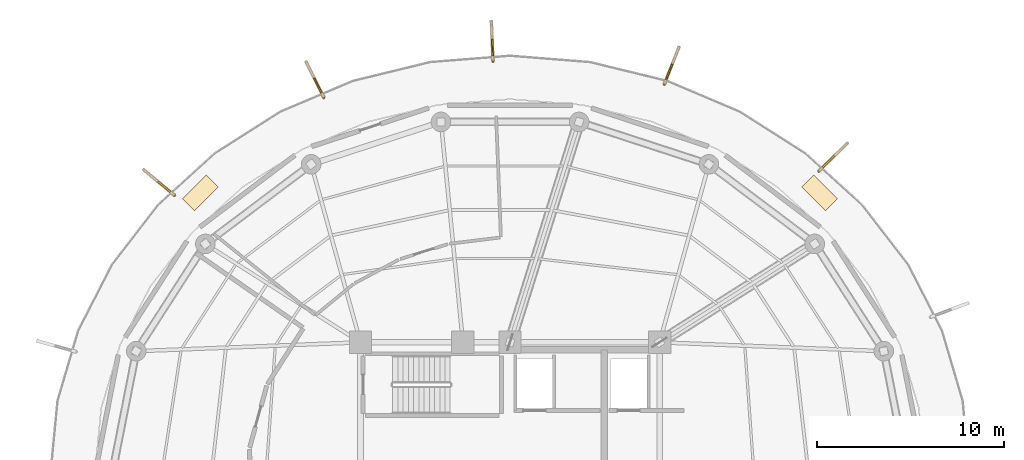
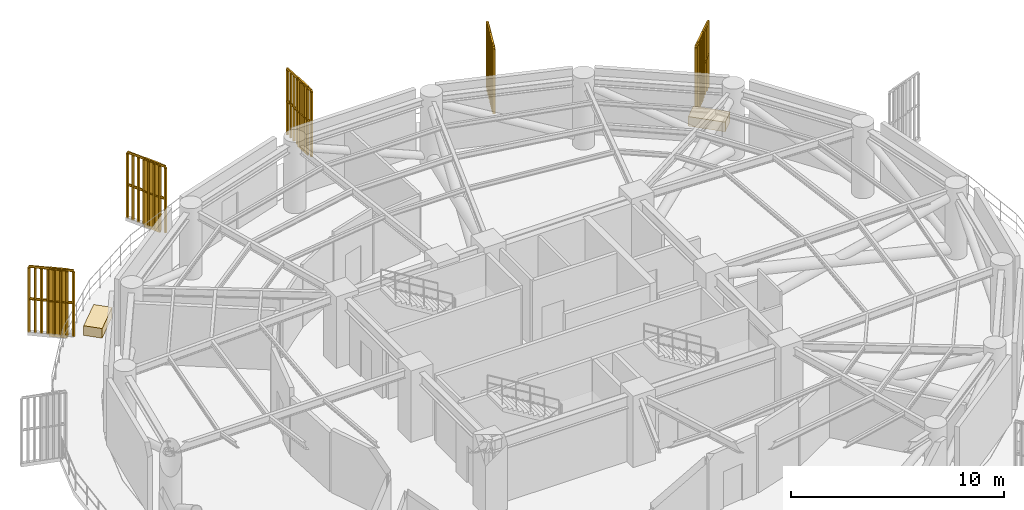
# One storey, part 10 of 10: 5 railings, 5 shading devices, 2 coverings.
"""IFC4 building model written with IfcOpenShell, lengths in metres."""

import ifcopenshell
import ifcopenshell.guid

model = None  # the IFC model being written
_history = None  # IfcOwnerHistory: only IFC2X3 demands one
_inside = {}  # id of a spatial element -> (the spatial element, [elements in it])
_under = {}  # id of a project, library or spatial element -> (it, [spatial elements below it])
_declared = {}  # id of a project -> (the project, [libraries it declares])
_typed = {}  # id of a type object -> (the type object, [elements of that type])
_made_of = {}  # id of a material, layer set ... -> (it, [elements and type objects made of it])


def new_model(schema):
    """Start an empty IFC model of exactly this schema.

    Asked for "IFC4X3", IfcOpenShell would pick the latest addendum, in which some entities
    have other attributes; the version numbers below select the first issue.
    IFC2X3 requires an IfcOwnerHistory on every rooted entity: one is made here for all.
    """
    global model, _history
    if schema == "IFC4X3":
        model = ifcopenshell.file(schema_version=(4, 3, 0, 0))
    else:
        model = ifcopenshell.file(schema=schema)
    _inside.clear()
    _under.clear()
    _declared.clear()
    _typed.clear()
    _made_of.clear()
    _history = None
    if model.schema == "IFC2X3":
        org = make("IfcOrganization", Name="unknown")
        user = make(
            "IfcPersonAndOrganization",
            ThePerson=make("IfcPerson", FamilyName="unknown"),
            TheOrganization=org,
        )
        app = make(
            "IfcApplication",
            ApplicationDeveloper=org,
            Version="unknown",
            ApplicationFullName="unknown",
            ApplicationIdentifier="unknown",
        )
        _history = make(
            "IfcOwnerHistory",
            OwningUser=user,
            OwningApplication=app,
            ChangeAction="ADDED",
            CreationDate=0,
        )
    return model


def make(cls, **values):
    """One entity of the class cls with the attributes given. An attribute that is None is left unset."""
    return model.create_entity(
        cls, **{name: value for name, value in values.items() if value is not None}
    )


def rooted(cls, **values):
    """An entity with a GlobalId (a new one), such as an element, a storey or a relation."""
    return make(cls, GlobalId=ifcopenshell.guid.new(), OwnerHistory=_history, **values)


def si_unit(unit_type, name, prefix=None):
    """IfcSIUnit, for example si_unit("LENGTHUNIT", "METRE", prefix="MILLI")."""
    return make("IfcSIUnit", UnitType=unit_type, Prefix=prefix, Name=name)


def assignment(units):
    """IfcUnitAssignment: the units of a project."""
    return None if units is None else make("IfcUnitAssignment", Units=units)


def point(xyz):
    """IfcCartesianPoint."""
    return None if xyz is None else make("IfcCartesianPoint", Coordinates=xyz)


def direction(xyz):
    """IfcDirection."""
    return None if xyz is None else make("IfcDirection", DirectionRatios=xyz)


def frame(location, z_axis=None, x_axis=None):
    """IfcAxis2Placement3D, a coordinate frame: its origin and axes. An axis left out is left unset."""
    return make(
        "IfcAxis2Placement3D",
        Location=point(location),
        Axis=direction(z_axis),
        RefDirection=direction(x_axis),
    )


def frame_2d(location, x_axis=None):
    """IfcAxis2Placement2D, a coordinate frame in the plane: its origin and x axis."""
    return make(
        "IfcAxis2Placement2D", Location=point(location), RefDirection=direction(x_axis)
    )


def origin():
    """The frame at (0, 0, 0) with its axes left unset."""
    return frame((0.0, 0.0, 0.0))


def origin_2d():
    """The frame at (0, 0) in the plane with its x axis left unset."""
    return frame_2d((0.0, 0.0))


def place(relative_to, where):
    """IfcLocalPlacement: puts the frame where relative to a parent placement (None: the world)."""
    return make(
        "IfcLocalPlacement", PlacementRelTo=relative_to, RelativePlacement=where
    )


def context(
    kind, dimensions, precision=None, world=None, true_north=None, identifier=None
):
    """IfcGeometricRepresentationContext, for example the 3D "Model" context."""
    return make(
        "IfcGeometricRepresentationContext",
        ContextIdentifier=identifier,
        ContextType=kind,
        CoordinateSpaceDimension=dimensions,
        Precision=precision,
        WorldCoordinateSystem=world,
        TrueNorth=true_north,
    )


def subcontext(parent, identifier, kind, view, scale=None):
    """IfcGeometricRepresentationSubContext, for example "Body" below "Model"."""
    return make(
        "IfcGeometricRepresentationSubContext",
        ContextIdentifier=identifier,
        ContextType=kind,
        ParentContext=parent,
        TargetScale=scale,
        TargetView=view,
    )


def project(units=None, contexts=None):
    """IfcProject with its units and contexts."""
    return rooted(
        "IfcProject",
        Name="project",
        RepresentationContexts=contexts,
        UnitsInContext=assignment(units),
    )


def spatial(cls, under=None, at=None, **own):
    """A site, building, storey or space (cls), placed at a placement, below another one or the project."""
    s = rooted(cls, ObjectPlacement=at, **own)
    if under is not None:
        _under.setdefault(under.id(), (under, []))[1].append(s)
    return s


def polyline(points):
    """IfcPolyline through the points."""
    return make("IfcPolyline", Points=[point(p) for p in points])


def profile(cls, at=None, kind="AREA", **sizes):
    """A parametric profile (cls). Its sizes go by their IFC names, for example OverallWidth=200.0."""
    return make(cls, ProfileType=kind, Position=at, **sizes)


def rectangle(**sizes):
    """IfcRectangleProfileDef."""
    return profile("IfcRectangleProfileDef", **sizes)


def outline(outer, holes=None, kind="AREA"):
    """IfcArbitraryClosedProfileDef: a profile drawn as a closed curve; with holes, ...WithVoids."""
    if holes is None:
        return make("IfcArbitraryClosedProfileDef", ProfileType=kind, OuterCurve=outer)
    return make(
        "IfcArbitraryProfileDefWithVoids",
        ProfileType=kind,
        OuterCurve=outer,
        InnerCurves=holes,
    )


def extrude(swept, where, along, depth):
    """IfcExtrudedAreaSolid: the profile swept, set in the frame where, extruded along a direction by depth."""
    return make(
        "IfcExtrudedAreaSolid",
        SweptArea=swept,
        Position=where,
        ExtrudedDirection=direction(along),
        Depth=depth,
    )


def shape(context_of_items, identifier, shape_type, items):
    """IfcShapeRepresentation: the items that make up one representation, for example the "Body"."""
    return make(
        "IfcShapeRepresentation",
        ContextOfItems=context_of_items,
        RepresentationIdentifier=identifier,
        RepresentationType=shape_type,
        Items=items,
    )


def source(mapping_origin, context_of_items, identifier, shape_type, items):
    """IfcRepresentationMap: a shape defined once, which mapped items show again and again."""
    return make(
        "IfcRepresentationMap",
        MappingOrigin=mapping_origin,
        MappedRepresentation=shape(context_of_items, identifier, shape_type, items),
    )


def transform(
    local_origin,
    x_axis=None,
    y_axis=None,
    z_axis=None,
    scale=None,
    scale2=None,
    scale3=None,
    uniform=True,
):
    """IfcCartesianTransformationOperator3D, or its non-uniform kind. x_axis, y_axis, z_axis: its Axis1, 2, 3."""
    if uniform:
        return make(
            "IfcCartesianTransformationOperator3D",
            Axis1=direction(x_axis),
            Axis2=direction(y_axis),
            LocalOrigin=point(local_origin),
            Scale=scale,
            Axis3=direction(z_axis),
        )
    return make(
        "IfcCartesianTransformationOperator3DnonUniform",
        Axis1=direction(x_axis),
        Axis2=direction(y_axis),
        LocalOrigin=point(local_origin),
        Scale=scale,
        Axis3=direction(z_axis),
        Scale2=scale2,
        Scale3=scale3,
    )


def mapped(mapping_source, mapping_target):
    """IfcMappedItem: shows the shape of a source again, moved by a transform."""
    return make(
        "IfcMappedItem", MappingSource=mapping_source, MappingTarget=mapping_target
    )


def material(Name=None, Category=None):
    """IfcMaterial."""
    return make("IfcMaterial", Name=Name, Category=Category)


def layer(
    of_material, thickness, ventilated=None, Name=None, Category=None, Priority=None
):
    """IfcMaterialLayer: one layer of a wall or slab, of a material (None: an air gap)."""
    return make(
        "IfcMaterialLayer",
        Material=of_material,
        LayerThickness=thickness,
        IsVentilated=ventilated,
        Name=Name,
        Category=Category,
        Priority=Priority,
    )


def layer_set(layers, Name=None):
    """IfcMaterialLayerSet."""
    return make("IfcMaterialLayerSet", MaterialLayers=layers, LayerSetName=Name)


def made_of(thing, what):
    """Note that an element or type object is made of a material, layer set ...; save() writes the relation."""
    if what is not None:
        _made_of.setdefault(what.id(), (what, []))[1].append(thing)
    return thing


def type_object(cls, material=None, **own):
    """A type object (cls), such as IfcWallType, which elements share."""
    return made_of(rooted(cls, **own), material)


def element(
    cls,
    number,
    at=None,
    inside=None,
    cuts=None,
    type_object=None,
    material=None,
    context=None,
    identifier="Body",
    shape_type=None,
    held_by="IfcProductDefinitionShape",
    body=None,
    shapes=None,
    **own,
):
    """One element of the class cls, such as IfcWall. Its Tag is "e" and its number.

    at: its placement. inside: the storey or other place that contains it. cuts: it is an
    opening in that element (IfcRelVoidsElement). A single representation is given by context,
    identifier, shape_type and body (its items); several are given by shapes. held_by: the class
    of the entity that holds the representations. save() writes the other relations.
    """
    e = rooted(cls, Tag="e%d" % number, ObjectPlacement=at, **own)
    if body is not None:
        shapes = [shape(context, identifier, shape_type, body)]
    if shapes is not None:
        e.Representation = make(held_by, Representations=shapes)
    if inside is not None:
        _inside.setdefault(inside.id(), (inside, []))[1].append(e)
    if cuts is not None:
        rooted(
            "IfcRelVoidsElement", RelatingBuildingElement=cuts, RelatedOpeningElement=e
        )
    if type_object is not None:
        _typed.setdefault(type_object.id(), (type_object, []))[1].append(e)
    return made_of(e, material)


def aggregate(whole, parts):
    """IfcRelAggregates: a whole, such as a stair, and the parts it consists of."""
    return rooted("IfcRelAggregates", RelatingObject=whole, RelatedObjects=parts)


def save(model, path):
    """Write the relations noted so far, then the file.

    IfcRelAggregates (storeys below a building ...), IfcRelContainedInSpatialStructure (elements
    in a storey), IfcRelDefinesByType, IfcRelAssociatesMaterial and IfcRelDeclares: one each for
    every whole, place, type object, material and project.
    """
    for whole, parts in _under.values():
        aggregate(whole, parts)
    for where, things in _inside.values():
        rooted(
            "IfcRelContainedInSpatialStructure",
            RelatedElements=things,
            RelatingStructure=where,
        )
    for kind, things in _typed.values():
        rooted("IfcRelDefinesByType", RelatedObjects=things, RelatingType=kind)
    for what, things in _made_of.values():
        rooted("IfcRelAssociatesMaterial", RelatedObjects=things, RelatingMaterial=what)
    for by, libraries in _declared.values():
        rooted("IfcRelDeclares", RelatingContext=by, RelatedDefinitions=libraries)
    model.write(path)


model = new_model("IFC4")

# Units and contexts
model_context = context("Model", 3, precision=1e-05, world=origin(), true_north=direction((0.0, 1.0)))
body_context = subcontext(model_context, "Body", "Model", "MODEL_VIEW")
ifc_project = project(units=[si_unit("LENGTHUNIT", "METRE"), si_unit("AREAUNIT", "SQUARE_METRE"), si_unit("VOLUMEUNIT", "CUBIC_METRE"), si_unit("PLANEANGLEUNIT", "RADIAN"), si_unit("MASSUNIT", "GRAM", prefix="KILO")], contexts=[model_context])

# Site, building, storey
site_placement = place(None, origin())
site = spatial("IfcSite", under=ifc_project, at=site_placement, CompositionType="ELEMENT")
building_placement = place(site_placement, origin())
building = spatial("IfcBuilding", under=site, at=building_placement, Name="Kelanora Arch Commons", CompositionType="ELEMENT")
storey_placement = place(building_placement, frame((0.0, 0.0, 189.110107421875)))
storey = spatial("IfcBuildingStorey", under=building, at=storey_placement, Name="L48", CompositionType="ELEMENT", Elevation=189.110107421875)

# Railings
ifc_material_1 = material(Name="Anodised bronze vertical shading fin rib assembly")
railing_type = type_object("IfcRailingType", Name="RAIL-FIN-BRZ", PredefinedType="BALUSTRADE", material=ifc_material_1)
railing_1_placement = place(storey_placement, frame((90.52490234375, 74.163818359375, -0.02001953125)))
element("IfcRailing", 1, at=railing_1_placement, inside=storey, type_object=railing_type, Name="Sweeping Bronze Vertical Fin Blade L48-03", PredefinedType="BALUSTRADE", context=body_context, shape_type="SweptSolid", body=[
    extrude(outline(polyline([(0.06982421875, 0.0), (0.034912109375, 0.060546875), (-0.034912109375, 0.060546875), (-0.06982421875, 0.0), (-0.034912109375, -0.060546875), (0.034912109375, -0.060546875), (0.06982421875, 0.0)])), frame((0.0, 0.0, 3.76025390625), z_axis=(0.714914986162, 0.699211386178, 0.0), x_axis=(-0.699211386178, 0.714914986162, 0.0)), (0.0, 0.0, 1.0), 2.1298828125),
    extrude(outline(polyline([(0.06982421875, 0.0), (0.034912109375, 0.060546875), (-0.034912109375, 0.060546875), (-0.06982421875, 0.0), (-0.034912109375, -0.060546875), (0.034912109375, -0.060546875), (0.06982421875, 0.0)])), frame((0.0, 0.0, 1.9150390625), z_axis=(0.714914986162, 0.699211386178, 0.0), x_axis=(-0.699211386178, 0.714914986162, 0.0)), (0.0, 0.0, 1.0), 2.1298828125),
    extrude(outline(polyline([(0.080078125, 0.0), (0.0400390625, 0.0693359375), (-0.0400390625, 0.0693359375), (-0.080078125, 0.0), (-0.0400390625, -0.0693359375), (0.0400390625, -0.0693359375), (0.080078125, 0.0)])), origin(), (0.0, 0.0, 1.0), 3.690185546875),
    extrude(outline(polyline([(0.080078125, 0.0), (0.0400390625, 0.0693359375), (-0.0400390625, 0.0693359375), (-0.080078125, 0.0), (-0.0400390625, -0.0693359375), (0.0400390625, -0.0693359375), (0.080078125, 0.0)])), frame((0.217529296875, 0.212646484375, 0.0)), (0.0, 0.0, 1.0), 3.690185546875),
    extrude(outline(polyline([(0.080078125, 0.0), (0.0400390625, 0.0693359375), (-0.0400390625, 0.0693359375), (-0.080078125, 0.0), (-0.0400390625, -0.0693359375), (0.0400390625, -0.0693359375), (0.080078125, 0.0)])), frame((0.43505859375, 0.425537109375, 0.0)), (0.0, 0.0, 1.0), 3.690185546875),
    extrude(outline(polyline([(0.080078125, 0.0), (0.0400390625, 0.0693359375), (-0.0400390625, 0.0693359375), (-0.080078125, 0.0), (-0.0400390625, -0.0693359375), (0.0400390625, -0.0693359375), (0.080078125, 0.0)])), frame((0.652587890625, 0.63818359375, 0.0)), (0.0, 0.0, 1.0), 3.690185546875),
    extrude(outline(polyline([(0.080078125, 0.0), (0.0400390625, 0.0693359375), (-0.0400390625, 0.0693359375), (-0.080078125, 0.0), (-0.0400390625, -0.0693359375), (0.0400390625, -0.0693359375), (0.080078125, 0.0)])), frame((0.8701171875, 0.85107421875, 0.0)), (0.0, 0.0, 1.0), 3.690185546875),
    extrude(outline(polyline([(0.080078125, 0.0), (0.0400390625, 0.0693359375), (-0.0400390625, 0.0693359375), (-0.080078125, 0.0), (-0.0400390625, -0.0693359375), (0.0400390625, -0.0693359375), (0.080078125, 0.0)])), frame((1.087646484375, 1.063720703125, 0.0)), (0.0, 0.0, 1.0), 3.690185546875),
    extrude(outline(polyline([(0.080078125, 0.0), (0.0400390625, 0.0693359375), (-0.0400390625, 0.0693359375), (-0.080078125, 0.0), (-0.0400390625, -0.0693359375), (0.0400390625, -0.0693359375), (0.080078125, 0.0)])), frame((1.30517578125, 1.276611328125, 0.0)), (0.0, 0.0, 1.0), 3.690185546875),
    extrude(outline(polyline([(0.080078125, 0.0), (0.0400390625, 0.0693359375), (-0.0400390625, 0.0693359375), (-0.080078125, 0.0), (-0.0400390625, -0.0693359375), (0.0400390625, -0.0693359375), (0.080078125, 0.0)])), frame((1.522705078125, 1.4892578125, 0.0)), (0.0, 0.0, 1.0), 3.690185546875),
])
railing_2_placement = place(storey_placement, frame((82.251953125, 78.80712890625, -0.02001953125)))
element("IfcRailing", 2, at=railing_2_placement, inside=storey, type_object=railing_type, Name="Sweeping Bronze Vertical Fin Blade L48-04", PredefinedType="BALUSTRADE", context=body_context, shape_type="SweptSolid", body=[
    extrude(outline(polyline([(0.06982421875, 0.0), (0.034912109375, 0.060546875), (-0.034912109375, 0.060546875), (-0.06982421875, 0.0), (-0.034912109375, -0.060546875), (0.034912109375, -0.060546875), (0.06982421875, 0.0)])), frame((0.0, 0.0, 3.76025390625), z_axis=(0.368721344959, 0.9295399775, 0.0), x_axis=(-0.9295399775, 0.368721344959, 0.0)), (0.0, 0.0, 1.0), 2.130126953125),
    extrude(outline(polyline([(0.06982421875, 0.0), (0.034912109375, 0.060546875), (-0.034912109375, 0.060546875), (-0.06982421875, 0.0), (-0.034912109375, -0.060546875), (0.034912109375, -0.060546875), (0.06982421875, 0.0)])), frame((0.0, 0.0, 1.9150390625), z_axis=(0.368721344959, 0.9295399775, 0.0), x_axis=(-0.9295399775, 0.368721344959, 0.0)), (0.0, 0.0, 1.0), 2.130126953125),
    extrude(outline(polyline([(0.080078125, 0.0), (0.0400390625, 0.0693359375), (-0.0400390625, 0.0693359375), (-0.080078125, 0.0), (-0.0400390625, -0.0693359375), (0.0400390625, -0.0693359375), (0.080078125, 0.0)])), origin(), (0.0, 0.0, 1.0), 3.690185546875),
    extrude(outline(polyline([(0.080078125, 0.0), (0.0400390625, 0.0693359375), (-0.0400390625, 0.0693359375), (-0.080078125, 0.0), (-0.0400390625, -0.0693359375), (0.0400390625, -0.0693359375), (0.080078125, 0.0)])), frame((0.1123046875, 0.282958984375, 0.0)), (0.0, 0.0, 1.0), 3.690185546875),
    extrude(outline(polyline([(0.080078125, 0.0), (0.0400390625, 0.0693359375), (-0.0400390625, 0.0693359375), (-0.080078125, 0.0), (-0.0400390625, -0.0693359375), (0.0400390625, -0.0693359375), (0.080078125, 0.0)])), frame((0.224365234375, 0.565673828125, 0.0)), (0.0, 0.0, 1.0), 3.690185546875),
    extrude(outline(polyline([(0.080078125, 0.0), (0.0400390625, 0.0693359375), (-0.0400390625, 0.0693359375), (-0.080078125, 0.0), (-0.0400390625, -0.0693359375), (0.0400390625, -0.0693359375), (0.080078125, 0.0)])), frame((0.336669921875, 0.8486328125, 0.0)), (0.0, 0.0, 1.0), 3.690185546875),
    extrude(outline(polyline([(0.080078125, 0.0), (0.0400390625, 0.0693359375), (-0.0400390625, 0.0693359375), (-0.080078125, 0.0), (-0.0400390625, -0.0693359375), (0.0400390625, -0.0693359375), (0.080078125, 0.0)])), frame((0.44873046875, 1.13134765625, 0.0)), (0.0, 0.0, 1.0), 3.690185546875),
    extrude(outline(polyline([(0.080078125, 0.0), (0.0400390625, 0.0693359375), (-0.0400390625, 0.0693359375), (-0.080078125, 0.0), (-0.0400390625, -0.0693359375), (0.0400390625, -0.0693359375), (0.080078125, 0.0)])), frame((0.56103515625, 1.414306640625, 0.0)), (0.0, 0.0, 1.0), 3.690185546875),
    extrude(outline(polyline([(0.080078125, 0.0), (0.0400390625, 0.0693359375), (-0.0400390625, 0.0693359375), (-0.080078125, 0.0), (-0.0400390625, -0.0693359375), (0.0400390625, -0.0693359375), (0.080078125, 0.0)])), frame((0.673095703125, 1.697021484375, 0.0)), (0.0, 0.0, 1.0), 3.690185546875),
    extrude(outline(polyline([(0.080078125, 0.0), (0.0400390625, 0.0693359375), (-0.0400390625, 0.0693359375), (-0.080078125, 0.0), (-0.0400390625, -0.0693359375), (0.0400390625, -0.0693359375), (0.080078125, 0.0)])), frame((0.785400390625, 1.97998046875, 0.0)), (0.0, 0.0, 1.0), 3.690185546875),
])
railing_3_placement = place(storey_placement, frame((73.088623046875, 80.046875, -0.02001953125)))
element("IfcRailing", 3, at=railing_3_placement, inside=storey, type_object=railing_type, Name="Sweeping Bronze Vertical Fin Blade L48-05", PredefinedType="BALUSTRADE", context=body_context, shape_type="SweptSolid", body=[
    extrude(outline(polyline([(0.06982421875, 0.0), (0.034912109375, 0.060546875), (-0.034912109375, 0.060546875), (-0.06982421875, 0.0), (-0.034912109375, -0.060546875), (0.034912109375, -0.060546875), (0.06982421875, 0.0)])), frame((0.0, 0.0, 3.76025390625), z_axis=(-0.041263437948, 0.999148301649, 0.0), x_axis=(-0.999148301649, -0.041263437948, 0.0)), (0.0, 0.0, 1.0), 2.1298828125),
    extrude(outline(polyline([(0.06982421875, 0.0), (0.034912109375, 0.060546875), (-0.034912109375, 0.060546875), (-0.06982421875, 0.0), (-0.034912109375, -0.060546875), (0.034912109375, -0.060546875), (0.06982421875, 0.0)])), frame((0.0, 0.0, 1.9150390625), z_axis=(-0.041263437948, 0.999148301649, 0.0), x_axis=(-0.999148301649, -0.041263437948, 0.0)), (0.0, 0.0, 1.0), 2.1298828125),
    extrude(outline(polyline([(0.080078125, 0.0), (0.0400390625, 0.0693359375), (-0.0400390625, 0.0693359375), (-0.080078125, 0.0), (-0.0400390625, -0.0693359375), (0.0400390625, -0.0693359375), (0.080078125, 0.0)])), origin(), (0.0, 0.0, 1.0), 3.690185546875),
    extrude(outline(polyline([(0.080078125, 0.0), (0.0400390625, 0.0693359375), (-0.0400390625, 0.0693359375), (-0.080078125, 0.0), (-0.0400390625, -0.0693359375), (0.0400390625, -0.0693359375), (0.080078125, 0.0)])), frame((-0.012451171875, 0.303955078125, 0.0)), (0.0, 0.0, 1.0), 3.690185546875),
    extrude(outline(polyline([(0.080078125, 0.0), (0.0400390625, 0.0693359375), (-0.0400390625, 0.0693359375), (-0.080078125, 0.0), (-0.0400390625, -0.0693359375), (0.0400390625, -0.0693359375), (0.080078125, 0.0)])), frame((-0.025146484375, 0.608154296875, 0.0)), (0.0, 0.0, 1.0), 3.690185546875),
    extrude(outline(polyline([(0.080078125, 0.0), (0.0400390625, 0.0693359375), (-0.0400390625, 0.0693359375), (-0.080078125, 0.0), (-0.0400390625, -0.0693359375), (0.0400390625, -0.0693359375), (0.080078125, 0.0)])), frame((-0.03759765625, 0.912109375, 0.0)), (0.0, 0.0, 1.0), 3.690185546875),
    extrude(outline(polyline([(0.080078125, 0.0), (0.0400390625, 0.0693359375), (-0.0400390625, 0.0693359375), (-0.080078125, 0.0), (-0.0400390625, -0.0693359375), (0.0400390625, -0.0693359375), (0.080078125, 0.0)])), frame((-0.05029296875, 1.216064453125, 0.0)), (0.0, 0.0, 1.0), 3.690185546875),
    extrude(outline(polyline([(0.080078125, 0.0), (0.0400390625, 0.0693359375), (-0.0400390625, 0.0693359375), (-0.080078125, 0.0), (-0.0400390625, -0.0693359375), (0.0400390625, -0.0693359375), (0.080078125, 0.0)])), frame((-0.062744140625, 1.52001953125, 0.0)), (0.0, 0.0, 1.0), 3.690185546875),
    extrude(outline(polyline([(0.080078125, 0.0), (0.0400390625, 0.0693359375), (-0.0400390625, 0.0693359375), (-0.080078125, 0.0), (-0.0400390625, -0.0693359375), (0.0400390625, -0.0693359375), (0.080078125, 0.0)])), frame((-0.075439453125, 1.82421875, 0.0)), (0.0, 0.0, 1.0), 3.690185546875),
    extrude(outline(polyline([(0.080078125, 0.0), (0.0400390625, 0.0693359375), (-0.0400390625, 0.0693359375), (-0.080078125, 0.0), (-0.0400390625, -0.0693359375), (0.0400390625, -0.0693359375), (0.080078125, 0.0)])), frame((-0.087890625, 2.128173828125, 0.0)), (0.0, 0.0, 1.0), 3.690185546875),
])
railing_4_placement = place(storey_placement, frame((64.038330078125, 78.0966796875, -0.02001953125)))
element("IfcRailing", 4, at=railing_4_placement, inside=storey, type_object=railing_type, Name="Sweeping Bronze Vertical Fin Blade L48-06", PredefinedType="BALUSTRADE", context=body_context, shape_type="SweptSolid", body=[
    extrude(outline(polyline([(0.06982421875, 0.0), (0.034912109375, 0.060546875), (-0.034912109375, 0.060546875), (-0.06982421875, 0.0), (-0.034912109375, -0.060546875), (0.034912109375, -0.060546875), (0.06982421875, 0.0)])), frame((0.0, 0.0, 3.76025390625), z_axis=(-0.444139233942, 0.89595777851, 0.0), x_axis=(-0.89595777851, -0.444139233942, 0.0)), (0.0, 0.0, 1.0), 2.130126953125),
    extrude(outline(polyline([(0.06982421875, 0.0), (0.034912109375, 0.060546875), (-0.034912109375, 0.060546875), (-0.06982421875, 0.0), (-0.034912109375, -0.060546875), (0.034912109375, -0.060546875), (0.06982421875, 0.0)])), frame((0.0, 0.0, 1.9150390625), z_axis=(-0.444139233942, 0.89595777851, 0.0), x_axis=(-0.89595777851, -0.444139233942, 0.0)), (0.0, 0.0, 1.0), 2.130126953125),
    extrude(outline(polyline([(0.080078125, 0.0), (0.0400390625, 0.0693359375), (-0.0400390625, 0.0693359375), (-0.080078125, 0.0), (-0.0400390625, -0.0693359375), (0.0400390625, -0.0693359375), (0.080078125, 0.0)])), origin(), (0.0, 0.0, 1.0), 3.690185546875),
    extrude(outline(polyline([(0.080078125, 0.0), (0.0400390625, 0.0693359375), (-0.0400390625, 0.0693359375), (-0.080078125, 0.0), (-0.0400390625, -0.0693359375), (0.0400390625, -0.0693359375), (0.080078125, 0.0)])), frame((-0.13525390625, 0.272705078125, 0.0)), (0.0, 0.0, 1.0), 3.690185546875),
    extrude(outline(polyline([(0.080078125, 0.0), (0.0400390625, 0.0693359375), (-0.0400390625, 0.0693359375), (-0.080078125, 0.0), (-0.0400390625, -0.0693359375), (0.0400390625, -0.0693359375), (0.080078125, 0.0)])), frame((-0.270263671875, 0.545166015625, 0.0)), (0.0, 0.0, 1.0), 3.690185546875),
    extrude(outline(polyline([(0.080078125, 0.0), (0.0400390625, 0.0693359375), (-0.0400390625, 0.0693359375), (-0.080078125, 0.0), (-0.0400390625, -0.0693359375), (0.0400390625, -0.0693359375), (0.080078125, 0.0)])), frame((-0.405517578125, 0.81787109375, 0.0)), (0.0, 0.0, 1.0), 3.690185546875),
    extrude(outline(polyline([(0.080078125, 0.0), (0.0400390625, 0.0693359375), (-0.0400390625, 0.0693359375), (-0.080078125, 0.0), (-0.0400390625, -0.0693359375), (0.0400390625, -0.0693359375), (0.080078125, 0.0)])), frame((-0.54052734375, 1.090576171875, 0.0)), (0.0, 0.0, 1.0), 3.690185546875),
    extrude(outline(polyline([(0.080078125, 0.0), (0.0400390625, 0.0693359375), (-0.0400390625, 0.0693359375), (-0.080078125, 0.0), (-0.0400390625, -0.0693359375), (0.0400390625, -0.0693359375), (0.080078125, 0.0)])), frame((-0.67578125, 1.36328125, 0.0)), (0.0, 0.0, 1.0), 3.690185546875),
    extrude(outline(polyline([(0.080078125, 0.0), (0.0400390625, 0.0693359375), (-0.0400390625, 0.0693359375), (-0.080078125, 0.0), (-0.0400390625, -0.0693359375), (0.0400390625, -0.0693359375), (0.080078125, 0.0)])), frame((-0.810791015625, 1.6357421875, 0.0)), (0.0, 0.0, 1.0), 3.690185546875),
    extrude(outline(polyline([(0.080078125, 0.0), (0.0400390625, 0.0693359375), (-0.0400390625, 0.0693359375), (-0.080078125, 0.0), (-0.0400390625, -0.0693359375), (0.0400390625, -0.0693359375), (0.080078125, 0.0)])), frame((-0.946044921875, 1.908447265625, 0.0)), (0.0, 0.0, 1.0), 3.690185546875),
])
railing_5_placement = place(storey_placement, frame((56.04736328125, 72.869140625, -0.02001953125)))
element("IfcRailing", 5, at=railing_5_placement, inside=storey, type_object=railing_type, Name="Sweeping Bronze Vertical Fin Blade L48-07", PredefinedType="BALUSTRADE", context=body_context, shape_type="SweptSolid", body=[
    extrude(outline(polyline([(0.06982421875, 0.0), (0.034912109375, 0.060546875), (-0.034912109375, 0.060546875), (-0.06982421875, 0.0), (-0.034912109375, -0.060546875), (0.034912109375, -0.060546875), (0.06982421875, 0.0)])), frame((0.0, 0.0, 3.76025390625), z_axis=(-0.770143824804, 0.637870276088, 0.0), x_axis=(-0.637870276088, -0.770143824804, 0.0)), (0.0, 0.0, 1.0), 2.1298828125),
    extrude(outline(polyline([(0.06982421875, 0.0), (0.034912109375, 0.060546875), (-0.034912109375, 0.060546875), (-0.06982421875, 0.0), (-0.034912109375, -0.060546875), (0.034912109375, -0.060546875), (0.06982421875, 0.0)])), frame((0.0, 0.0, 1.9150390625), z_axis=(-0.770143824804, 0.637870276088, 0.0), x_axis=(-0.637870276088, -0.770143824804, 0.0)), (0.0, 0.0, 1.0), 2.1298828125),
    extrude(outline(polyline([(0.080078125, 0.0), (0.0400390625, 0.0693359375), (-0.0400390625, 0.0693359375), (-0.080078125, 0.0), (-0.0400390625, -0.0693359375), (0.0400390625, -0.0693359375), (0.080078125, 0.0)])), origin(), (0.0, 0.0, 1.0), 3.690185546875),
    extrude(outline(polyline([(0.080078125, 0.0), (0.0400390625, 0.0693359375), (-0.0400390625, 0.0693359375), (-0.080078125, 0.0), (-0.0400390625, -0.0693359375), (0.0400390625, -0.0693359375), (0.080078125, 0.0)])), frame((-0.234375, 0.194091796875, 0.0)), (0.0, 0.0, 1.0), 3.690185546875),
    extrude(outline(polyline([(0.080078125, 0.0), (0.0400390625, 0.0693359375), (-0.0400390625, 0.0693359375), (-0.080078125, 0.0), (-0.0400390625, -0.0693359375), (0.0400390625, -0.0693359375), (0.080078125, 0.0)])), frame((-0.46875, 0.38818359375, 0.0)), (0.0, 0.0, 1.0), 3.690185546875),
    extrude(outline(polyline([(0.080078125, 0.0), (0.0400390625, 0.0693359375), (-0.0400390625, 0.0693359375), (-0.080078125, 0.0), (-0.0400390625, -0.0693359375), (0.0400390625, -0.0693359375), (0.080078125, 0.0)])), frame((-0.703125, 0.582275390625, 0.0)), (0.0, 0.0, 1.0), 3.690185546875),
    extrude(outline(polyline([(0.080078125, 0.0), (0.0400390625, 0.0693359375), (-0.0400390625, 0.0693359375), (-0.080078125, 0.0), (-0.0400390625, -0.0693359375), (0.0400390625, -0.0693359375), (0.080078125, 0.0)])), frame((-0.937255859375, 0.7763671875, 0.0)), (0.0, 0.0, 1.0), 3.690185546875),
    extrude(outline(polyline([(0.080078125, 0.0), (0.0400390625, 0.0693359375), (-0.0400390625, 0.0693359375), (-0.080078125, 0.0), (-0.0400390625, -0.0693359375), (0.0400390625, -0.0693359375), (0.080078125, 0.0)])), frame((-1.171630859375, 0.970458984375, 0.0)), (0.0, 0.0, 1.0), 3.690185546875),
    extrude(outline(polyline([(0.080078125, 0.0), (0.0400390625, 0.0693359375), (-0.0400390625, 0.0693359375), (-0.080078125, 0.0), (-0.0400390625, -0.0693359375), (0.0400390625, -0.0693359375), (0.080078125, 0.0)])), frame((-1.406005859375, 1.16455078125, 0.0)), (0.0, 0.0, 1.0), 3.690185546875),
    extrude(outline(polyline([(0.080078125, 0.0), (0.0400390625, 0.0693359375), (-0.0400390625, 0.0693359375), (-0.080078125, 0.0), (-0.0400390625, -0.0693359375), (0.0400390625, -0.0693359375), (0.080078125, 0.0)])), frame((-1.640380859375, 1.358642578125, 0.0)), (0.0, 0.0, 1.0), 3.690185546875),
])

# Coverings
ifc_material_2 = material(Name="Architectural terracotta planter bed with planting soil", Category="masonry")
ifc_layer = layer(ifc_material_2, 0.550048828125)
ifc_layer_set = layer_set([ifc_layer], Name="Architectural terracotta planter bed with planting soil")
covering_type = type_object("IfcCoveringType", Name="COV-PLANTER", PredefinedType="USERDEFINED", material=ifc_layer_set)
shared_shape_1 = source(origin(), body_context, "Body", "SweptSolid", [
    extrude(rectangle(XDim=1.800048828125, YDim=0.89990234375, at=origin_2d()), origin(), (0.0, 0.0, 1.0), 0.550048828125),
])
for number, where, z_axis, x_axis, name in (
    (6, (90.56396484375, 72.99072265625, 0.0), (0.0, 0.0, 1.0), (-0.707106781187, 0.707106781187, 0.0), "Sky-Terrace Planter L48-1"),
    (7, (57.43603515625, 72.99072265625, 0.0), (0.0, 0.0, 1.0), (-0.707106781187, -0.707106781187, 0.0), "Sky-Terrace Planter L48-2"),
):
    element("IfcCovering", number, at=place(storey_placement, frame(where, z_axis=z_axis, x_axis=x_axis)), inside=storey, type_object=covering_type, Name=name, ObjectType="PLANTER", PredefinedType="USERDEFINED", context=body_context, shape_type="MappedRepresentation", body=[
        mapped(shared_shape_1, transform((0.0, 0.0, 0.0), scale=1.0)),
    ])

# Shading devices
ifc_material_3 = material(Name="Terracotta ceramic-clad extruded aluminium fin", Category="masonry")
shading_device_type = type_object("IfcShadingDeviceType", Name="SHD-FIN-FLARE", PredefinedType="USERDEFINED", material=ifc_material_3)
shared_shape_2 = source(origin(), body_context, "Body", "SweptSolid", [
    extrude(rectangle(XDim=0.8798828125, YDim=0.090087890625, at=origin_2d()), origin(), (0.0, 0.0, 1.0), 3.949951171875),
])
for number, where, z_axis, x_axis, name in (
    (8, (91.03955078125, 74.6669921875, -0.14013671875), (0.0, 0.0, 1.0), (0.714838924546, 0.699289147602, 0.0), "Sweeping Terracotta Fin L48-03"),
    (9, (82.517578125, 79.4765625, -0.14013671875), (0.0, 0.0, 1.0), (0.36861133203, 0.92958360888, 0.0), "Sweeping Terracotta Fin L48-04"),
    (10, (73.058837890625, 80.766357421875, -0.14013671875), (0.0, 0.0, 1.0), (-0.041352508522, 0.999144619181, 0.0), "Sweeping Terracotta Fin L48-05"),
    (11, (63.718505859375, 78.741943359375, -0.14013671875), (0.0, 0.0, 1.0), (-0.444166124676, 0.895944447882, 0.0), "Sweeping Terracotta Fin L48-06"),
    (12, (55.492919921875, 73.32861328125, -0.14013671875), (0.0, 0.0, 1.0), (-0.77017938275, 0.637827342144, 0.0), "Sweeping Terracotta Fin L48-07"),
):
    element("IfcShadingDevice", number, at=place(storey_placement, frame(where, z_axis=z_axis, x_axis=x_axis)), inside=storey, type_object=shading_device_type, Name=name, ObjectType="FIN", PredefinedType="USERDEFINED", context=body_context, shape_type="MappedRepresentation", body=[
        mapped(shared_shape_2, transform((0.0, 0.0, 0.0), scale=1.0)),
    ])

save(model, "model.ifc")
